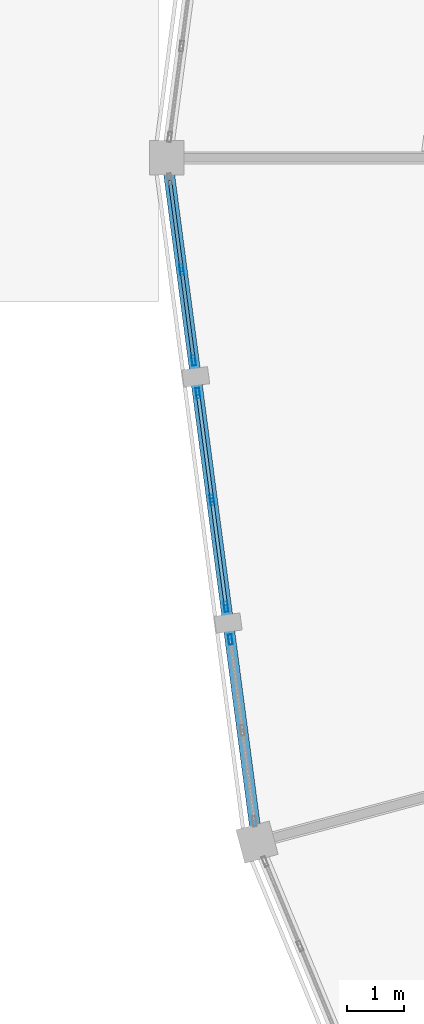
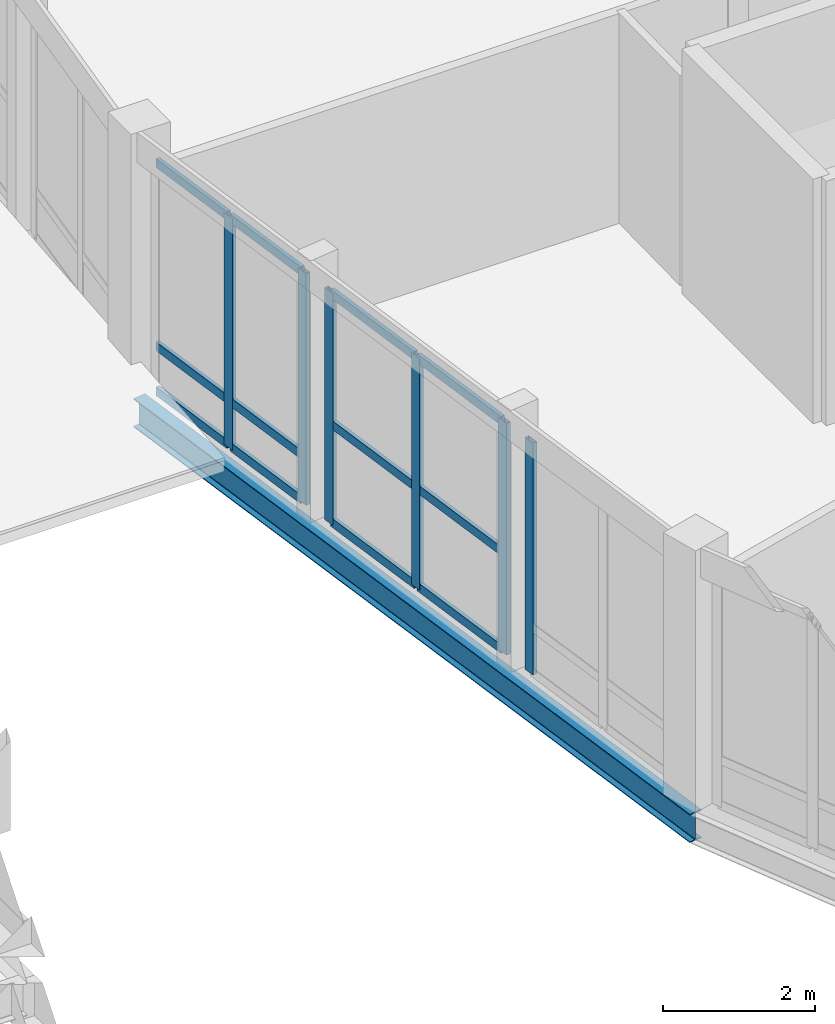
# One storey, part 48 of 170: 18 members, 1 beam, 3 elements without a shape of their own.
"""IFC4 building model written with IfcOpenShell, lengths in metres."""

from ifc_helpers import new_model, si_unit, direction, frame, origin, origin_2d, place, context, subcontext, project, spatial, hollow_rectangle, i_section, extrude, material, material_profile, profile_set, type_object, element, aggregate, save


model = new_model("IFC4")

# Units and contexts
model_context = context("Model", 3, precision=1e-05, world=origin(), true_north=direction((0.0, 1.0)))
body_context = subcontext(model_context, "Body", "Model", "MODEL_VIEW")
ifc_project = project(units=[si_unit("LENGTHUNIT", "METRE"), si_unit("AREAUNIT", "SQUARE_METRE"), si_unit("VOLUMEUNIT", "CUBIC_METRE"), si_unit("PLANEANGLEUNIT", "RADIAN"), si_unit("MASSUNIT", "GRAM", prefix="KILO")], contexts=[model_context])

# Site, building, storey
site_placement = place(None, origin())
site = spatial("IfcSite", under=ifc_project, at=site_placement, CompositionType="ELEMENT")
building_placement = place(site_placement, origin())
building = spatial("IfcBuilding", under=site, at=building_placement, Name="Vondelvale Polytechnic", CompositionType="ELEMENT")
storey_placement = place(building_placement, frame((0.0, 0.0, 5.39990234375)))
storey = spatial("IfcBuildingStorey", under=building, at=storey_placement, Name="L01", CompositionType="ELEMENT", Elevation=5.39990234375)

# Beam
ifc_material_1 = material(Name="Steel 300PLUS (fy = 300 MPa)", Category="steel")
ifc_material_profile_1 = material_profile(ifc_material_1, i_section(OverallWidth=0.18994140625, OverallDepth=0.45703125, WebThickness=0.009033203125, FlangeThickness=0.014404296875, FilletRadius=0.011474609375, at=origin_2d()), Name="460UB74.6")
ifc_profile_set_1 = profile_set([ifc_material_profile_1], Name="Steel 300PLUS (fy = 300 MPa)")
beam_type = type_object("IfcBeamType", Name="BM-UB460", PredefinedType="BEAM", material=ifc_profile_set_1)
beam_placement = place(storey_placement, frame((56.0, 72.0, -0.50830078125), z_axis=(0.130522880875, -0.991445297315, 0.0), x_axis=(0.991445297315, 0.130522880875, 0.0)))
element("IfcBeam", 1, at=beam_placement, inside=storey, type_object=beam_type, Name="L01 RB B-13", PredefinedType="BEAM", context=body_context, shape_type="SweptSolid", body=[
    extrude(i_section(OverallWidth=0.18994140625, OverallDepth=0.45703125, WebThickness=0.009033203125, FlangeThickness=0.014404296875, FilletRadius=0.011474609375, at=origin_2d()), origin(), (0.0, 0.0, 1.0), 12.008544921875),
])

# Curtain wall, members
ifc_material_2 = material(Name="Glulam GL18 structural Tasmanian oak (fb = 42 MPa)", Category="wood")
curtain_wall_type = type_object("IfcCurtainWallType", Name="CW-RING-OUTER", PredefinedType="NOTDEFINED", material=ifc_material_2)
curtain_wall_1_placement = place(storey_placement, origin())
curtain_wall_1 = element("IfcCurtainWall", 2, at=curtain_wall_1_placement, inside=storey, type_object=curtain_wall_type, Name="L01 architectural curtain wall CW-04-260", PredefinedType="NOTDEFINED")
ifc_material_3 = material(Name="Anodised extruded aluminium 6063-T6", Category="aluminium")
ifc_material_profile_2 = material_profile(ifc_material_3, hollow_rectangle(XDim=0.06494140625, YDim=0.179931640625, WallThickness=0.00390625, at=origin_2d()), Name="CW-MUL-180x65")
ifc_profile_set_2 = profile_set([ifc_material_profile_2], Name="Anodised extruded aluminium 6063-T6")
member_type_1 = type_object("IfcMemberType", Name="CW-MUL-65x180", PredefinedType="MULLION", material=ifc_profile_set_2)
member_1_placement = place(storey_placement, frame((56.255859375, 70.056640625, 0.0), z_axis=(0.0, 0.0, 1.0), x_axis=(0.991443102996, 0.130539547729, 0.0)))
member_1 = element("IfcMember", 3, at=member_1_placement, type_object=member_type_1, Name="CW-04-260 mullion 2", PredefinedType="MULLION", context=body_context, shape_type="SweptSolid", body=[
    extrude(hollow_rectangle(XDim=0.06494140625, YDim=0.179931640625, WallThickness=0.00390625, at=origin_2d()), origin(), (0.0, 0.0, 1.0), 3.72021484375),
])
member_2_placement = place(storey_placement, frame((56.464111328125, 68.475341796875, 0.0), z_axis=(0.0, 0.0, 1.0), x_axis=(0.991443102996, 0.130539547729, 0.0)))
member_2 = element("IfcMember", 4, at=member_2_placement, type_object=member_type_1, Name="CW-04-260 mullion 3", PredefinedType="MULLION", context=body_context, shape_type="SweptSolid", body=[
    extrude(hollow_rectangle(XDim=0.06494140625, YDim=0.179931640625, WallThickness=0.00390625, at=origin_2d()), origin(), (0.0, 0.0, 1.0), 3.72021484375),
])

curtain_wall_2_placement = place(storey_placement, origin())
curtain_wall_2 = element("IfcCurtainWall", 5, at=curtain_wall_2_placement, inside=storey, type_object=curtain_wall_type, Name="L01 architectural curtain wall CW-04-261", PredefinedType="NOTDEFINED")
member_3_placement = place(storey_placement, frame((56.5390625, 67.9052734375, 0.0), z_axis=(0.0, 0.0, 1.0), x_axis=(0.991448671082, 0.130497251349, 0.0)))
member_3 = element("IfcMember", 6, at=member_3_placement, type_object=member_type_1, Name="CW-04-261 mullion 1", PredefinedType="MULLION", context=body_context, shape_type="SweptSolid", body=[
    extrude(hollow_rectangle(XDim=0.06494140625, YDim=0.179931640625, WallThickness=0.00390625, at=origin_2d()), origin(), (0.0, 0.0, 1.0), 3.72021484375),
])
member_4_placement = place(storey_placement, frame((56.78369140625, 66.047119140625, 0.0), z_axis=(0.0, 0.0, 1.0), x_axis=(0.991448671082, 0.130497251349, 0.0)))
member_4 = element("IfcMember", 7, at=member_4_placement, type_object=member_type_1, Name="CW-04-261 mullion 2", PredefinedType="MULLION", context=body_context, shape_type="SweptSolid", body=[
    extrude(hollow_rectangle(XDim=0.06494140625, YDim=0.179931640625, WallThickness=0.00390625, at=origin_2d()), origin(), (0.0, 0.0, 1.0), 3.72021484375),
])
member_5_placement = place(storey_placement, frame((57.0283203125, 64.189208984375, 0.0), z_axis=(0.0, 0.0, 1.0), x_axis=(0.991448671082, 0.130497251349, 0.0)))
member_5 = element("IfcMember", 8, at=member_5_placement, type_object=member_type_1, Name="CW-04-261 mullion 3", PredefinedType="MULLION", context=body_context, shape_type="SweptSolid", body=[
    extrude(hollow_rectangle(XDim=0.06494140625, YDim=0.179931640625, WallThickness=0.00390625, at=origin_2d()), origin(), (0.0, 0.0, 1.0), 3.72021484375),
])

# Curtain wall, member
curtain_wall_3_placement = place(storey_placement, origin())
curtain_wall_3 = element("IfcCurtainWall", 9, at=curtain_wall_3_placement, inside=storey, type_object=curtain_wall_type, Name="L01 architectural curtain wall CW-04-262", PredefinedType="NOTDEFINED")
member_6_placement = place(storey_placement, frame((57.103271484375, 63.619140625, 0.0), z_axis=(0.0, 0.0, 1.0), x_axis=(0.991443102996, 0.130539547729, 0.0)))
member_6 = element("IfcMember", 10, at=member_6_placement, type_object=member_type_1, Name="CW-04-262 mullion 1", PredefinedType="MULLION", context=body_context, shape_type="SweptSolid", body=[
    extrude(hollow_rectangle(XDim=0.06494140625, YDim=0.179931640625, WallThickness=0.00390625, at=origin_2d()), origin(), (0.0, 0.0, 1.0), 3.72021484375),
])
aggregate(curtain_wall_3, [member_6])

# Member
ifc_material_profile_3 = material_profile(ifc_material_3, hollow_rectangle(XDim=0.06005859375, YDim=0.139892578125, WallThickness=0.00341796875, at=origin_2d()), Name="CW-TRN-140x60")
ifc_profile_set_3 = profile_set([ifc_material_profile_3], Name="Anodised extruded aluminium 6063-T6")
member_type_2 = type_object("IfcMemberType", Name="CW-TRN-60x140", PredefinedType="USERDEFINED", material=ifc_profile_set_3)
member_7_placement = place(storey_placement, frame((56.052001953125, 71.605712890625, 0.030029296875), z_axis=(0.130532942165, -0.991443972703, 0.0), x_axis=(0.991443972703, 0.130532942165, 0.0)))
member_7 = element("IfcMember", 11, at=member_7_placement, type_object=member_type_2, Name="CW-04-260 transom 1.1", ObjectType="TRANSOM", PredefinedType="USERDEFINED", context=body_context, shape_type="SweptSolid", body=[
    extrude(hollow_rectangle(XDim=0.06005859375, YDim=0.139892578125, WallThickness=0.00341796875, at=origin_2d()), origin(), (0.0, 0.0, 1.0), 1.530029296875),
])

member_8_placement = place(storey_placement, frame((56.052001953125, 71.605712890625, 0.75), z_axis=(0.130532942165, -0.991443972703, 0.0), x_axis=(0.991443972703, 0.130532942165, 0.0)))
member_8 = element("IfcMember", 12, at=member_8_placement, type_object=member_type_2, Name="CW-04-260 transom 1.2", ObjectType="TRANSOM", PredefinedType="USERDEFINED", context=body_context, shape_type="SweptSolid", body=[
    extrude(hollow_rectangle(XDim=0.06005859375, YDim=0.139892578125, WallThickness=0.00341796875, at=origin_2d()), origin(), (0.0, 0.0, 1.0), 1.530029296875),
])

member_9_placement = place(storey_placement, frame((56.052001953125, 71.605712890625, 3.690185546875), z_axis=(0.130532942165, -0.991443972703, 0.0), x_axis=(0.991443972703, 0.130532942165, 0.0)))
member_9 = element("IfcMember", 13, at=member_9_placement, type_object=member_type_2, Name="CW-04-260 transom 1.3", ObjectType="TRANSOM", PredefinedType="USERDEFINED", context=body_context, shape_type="SweptSolid", body=[
    extrude(hollow_rectangle(XDim=0.06005859375, YDim=0.139892578125, WallThickness=0.00341796875, at=origin_2d()), origin(), (0.0, 0.0, 1.0), 1.530029296875),
])

member_10_placement = place(storey_placement, frame((56.260009765625, 70.0244140625, 0.030029296875), z_axis=(0.130512293736, -0.991446691045, 0.0), x_axis=(0.991446691045, 0.130512293736, 0.0)))
member_10 = element("IfcMember", 14, at=member_10_placement, type_object=member_type_2, Name="CW-04-260 transom 2.1", ObjectType="TRANSOM", PredefinedType="USERDEFINED", context=body_context, shape_type="SweptSolid", body=[
    extrude(hollow_rectangle(XDim=0.06005859375, YDim=0.139892578125, WallThickness=0.00341796875, at=origin_2d()), origin(), (0.0, 0.0, 1.0), 1.5302734375),
])

member_11_placement = place(storey_placement, frame((56.260009765625, 70.0244140625, 0.75), z_axis=(0.130512293736, -0.991446691045, 0.0), x_axis=(0.991446691045, 0.130512293736, 0.0)))
member_11 = element("IfcMember", 15, at=member_11_placement, type_object=member_type_2, Name="CW-04-260 transom 2.2", ObjectType="TRANSOM", PredefinedType="USERDEFINED", context=body_context, shape_type="SweptSolid", body=[
    extrude(hollow_rectangle(XDim=0.06005859375, YDim=0.139892578125, WallThickness=0.00341796875, at=origin_2d()), origin(), (0.0, 0.0, 1.0), 1.5302734375),
])

member_12_placement = place(storey_placement, frame((56.260009765625, 70.0244140625, 3.690185546875), z_axis=(0.130512293736, -0.991446691045, 0.0), x_axis=(0.991446691045, 0.130512293736, 0.0)))
member_12 = element("IfcMember", 16, at=member_12_placement, type_object=member_type_2, Name="CW-04-260 transom 2.3", ObjectType="TRANSOM", PredefinedType="USERDEFINED", context=body_context, shape_type="SweptSolid", body=[
    extrude(hollow_rectangle(XDim=0.06005859375, YDim=0.139892578125, WallThickness=0.00341796875, at=origin_2d()), origin(), (0.0, 0.0, 1.0), 1.5302734375),
])

aggregate(curtain_wall_1, [member_1, member_2, member_7, member_8, member_9, member_10, member_11, member_12])

member_13_placement = place(storey_placement, frame((56.54345703125, 67.873046875, 0.030029296875), z_axis=(0.130492911033, -0.991449242357, 0.0), x_axis=(0.991449242357, 0.130492911033, 0.0)))
member_13 = element("IfcMember", 17, at=member_13_placement, type_object=member_type_2, Name="CW-04-261 transom 1.1", ObjectType="TRANSOM", PredefinedType="USERDEFINED", context=body_context, shape_type="SweptSolid", body=[
    extrude(hollow_rectangle(XDim=0.06005859375, YDim=0.139892578125, WallThickness=0.00341796875, at=origin_2d()), origin(), (0.0, 0.0, 1.0), 1.80908203125),
])

member_14_placement = place(storey_placement, frame((56.54345703125, 67.873046875, 1.60009765625), z_axis=(0.130492911033, -0.991449242357, 0.0), x_axis=(0.991449242357, 0.130492911033, 0.0)))
member_14 = element("IfcMember", 18, at=member_14_placement, type_object=member_type_2, Name="CW-04-261 transom 1.2", ObjectType="TRANSOM", PredefinedType="USERDEFINED", context=body_context, shape_type="SweptSolid", body=[
    extrude(hollow_rectangle(XDim=0.06005859375, YDim=0.139892578125, WallThickness=0.00341796875, at=origin_2d()), origin(), (0.0, 0.0, 1.0), 1.80908203125),
])

member_15_placement = place(storey_placement, frame((56.54345703125, 67.873046875, 3.690185546875), z_axis=(0.130492911033, -0.991449242357, 0.0), x_axis=(0.991449242357, 0.130492911033, 0.0)))
member_15 = element("IfcMember", 19, at=member_15_placement, type_object=member_type_2, Name="CW-04-261 transom 1.3", ObjectType="TRANSOM", PredefinedType="USERDEFINED", context=body_context, shape_type="SweptSolid", body=[
    extrude(hollow_rectangle(XDim=0.06005859375, YDim=0.139892578125, WallThickness=0.00341796875, at=origin_2d()), origin(), (0.0, 0.0, 1.0), 1.80908203125),
])

member_16_placement = place(storey_placement, frame((56.787841796875, 66.014892578125, 0.030029296875), z_axis=(0.130510372288, -0.991446943979, 0.0), x_axis=(0.991446943979, 0.130510372288, 0.0)))
member_16 = element("IfcMember", 20, at=member_16_placement, type_object=member_type_2, Name="CW-04-261 transom 2.1", ObjectType="TRANSOM", PredefinedType="USERDEFINED", context=body_context, shape_type="SweptSolid", body=[
    extrude(hollow_rectangle(XDim=0.06005859375, YDim=0.139892578125, WallThickness=0.00341796875, at=origin_2d()), origin(), (0.0, 0.0, 1.0), 1.808837890625),
])

member_17_placement = place(storey_placement, frame((56.787841796875, 66.014892578125, 1.60009765625), z_axis=(0.130510372288, -0.991446943979, 0.0), x_axis=(0.991446943979, 0.130510372288, 0.0)))
member_17 = element("IfcMember", 21, at=member_17_placement, type_object=member_type_2, Name="CW-04-261 transom 2.2", ObjectType="TRANSOM", PredefinedType="USERDEFINED", context=body_context, shape_type="SweptSolid", body=[
    extrude(hollow_rectangle(XDim=0.06005859375, YDim=0.139892578125, WallThickness=0.00341796875, at=origin_2d()), origin(), (0.0, 0.0, 1.0), 1.808837890625),
])

member_18_placement = place(storey_placement, frame((56.787841796875, 66.014892578125, 3.690185546875), z_axis=(0.130510372288, -0.991446943979, 0.0), x_axis=(0.991446943979, 0.130510372288, 0.0)))
member_18 = element("IfcMember", 22, at=member_18_placement, type_object=member_type_2, Name="CW-04-261 transom 2.3", ObjectType="TRANSOM", PredefinedType="USERDEFINED", context=body_context, shape_type="SweptSolid", body=[
    extrude(hollow_rectangle(XDim=0.06005859375, YDim=0.139892578125, WallThickness=0.00341796875, at=origin_2d()), origin(), (0.0, 0.0, 1.0), 1.808837890625),
])

aggregate(curtain_wall_2, [member_3, member_4, member_5, member_13, member_14, member_15, member_16, member_17, member_18])

save(model, "model.ifc")
